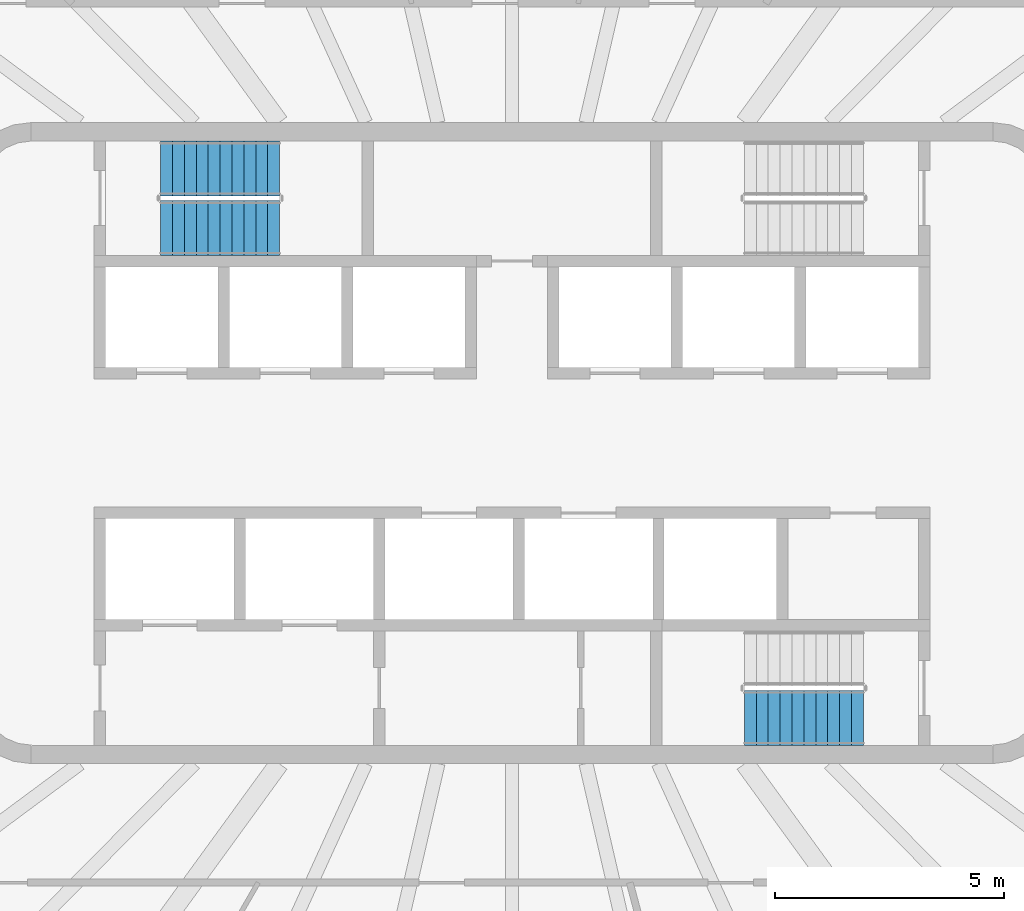
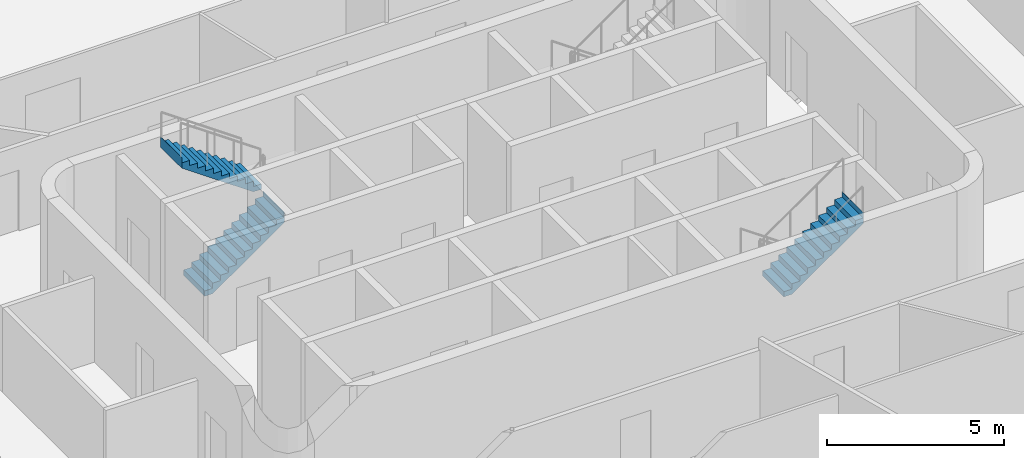
# One storey, part 13 of 20: 3 stair flights, 2 elements without a shape of their own.
"""IFC4 building model written with IfcOpenShell, lengths in metres."""

from ifc_helpers import new_model, si_unit, direction, frame, origin, place, context, subcontext, project, spatial, triangles, material, type_object, element, aggregate, save


model = new_model("IFC4")

# Units and contexts
model_context = context("Model", 3, precision=1e-05, world=origin(), true_north=direction((0.0, 1.0)))
body_context = subcontext(model_context, "Body", "Model", "MODEL_VIEW")
ifc_project = project(units=[si_unit("LENGTHUNIT", "METRE"), si_unit("AREAUNIT", "SQUARE_METRE"), si_unit("VOLUMEUNIT", "CUBIC_METRE"), si_unit("PLANEANGLEUNIT", "RADIAN"), si_unit("MASSUNIT", "GRAM", prefix="KILO")], contexts=[model_context])

# Site, building, storey
site_placement = place(None, origin())
site = spatial("IfcSite", under=ifc_project, at=site_placement, CompositionType="ELEMENT")
building_placement = place(site_placement, origin())
building = spatial("IfcBuilding", under=site, at=building_placement, Name="Sahrelin Media Tower", CompositionType="ELEMENT")
storey_placement = place(building_placement, frame((0.0, 0.0, 213.60009765625)))
storey = spatial("IfcBuildingStorey", under=building, at=storey_placement, Name="L45", CompositionType="ELEMENT", Elevation=213.60009765625)

# Stair, stair flights
ifc_material = material(Name="Concrete C40/50", Category="concrete")
stair_type = type_object("IfcStairType", Name="Exit stair 1200", PredefinedType="HALF_TURN_STAIR", material=ifc_material)
placement = place(storey_placement, origin())
stair_1 = element("IfcStair", 1, at=placement, inside=storey, type_object=stair_type, Name="L45 Exit stair ST1", PredefinedType="HALF_TURN_STAIR")
stair_flight_type = type_object("IfcStairFlightType", Name="Stair flight 1200", PredefinedType="STRAIGHT", material=ifc_material)
stair_flight_1_placement = place(storey_placement, frame((-7.675048828125, 4.699951171875, 0.0), z_axis=(0.0, 0.0, 1.0), x_axis=(1.0, 0.0, 0.0)))
stair_flight_1 = element("IfcStairFlight", 2, at=stair_flight_1_placement, type_object=stair_flight_type, Name="ST1 flight 1", NumberOfRisers=11, NumberOfTreads=10, PredefinedType="STRAIGHT", RiserHeight=0.181818182, TreadLength=0.26, context=body_context, shape_type="Tessellation", body=[
    triangles([(0.261474609375, 0.60009765625, 0.0), (0.261474609375, 0.300048828125, 0.0), (0.261474609375, 0.0, 0.0), (0.261474609375, -0.300048828125, 0.0), (0.261474609375, -0.60009765625, 0.0), (2.60009765625, 0.60009765625, 1.63525390625), (2.60009765625, 0.300048828125, 1.63525390625), (2.60009765625, 0.0, 1.63525390625), (2.60009765625, -0.300048828125, 1.63525390625), (2.60009765625, -0.60009765625, 1.63525390625), (2.60009765625, 0.60009765625, 2.0), (2.60009765625, 0.300048828125, 2.0), (2.60009765625, 0.0, 2.0), (2.60009765625, -0.300048828125, 2.0), (2.60009765625, -0.60009765625, 2.0), (2.597900390625, 0.60009765625, 2.0), (2.597900390625, 0.300048828125, 2.0), (2.597900390625, 0.0, 2.0), (2.597900390625, -0.300048828125, 2.0), (2.597900390625, -0.60009765625, 2.0), (2.597900390625, 0.60009765625, 1.818115234375), (2.597900390625, 0.300048828125, 1.818115234375), (2.597900390625, 0.0, 1.818115234375), (2.597900390625, -0.300048828125, 1.818115234375), (2.597900390625, -0.60009765625, 1.818115234375), (2.340087890625, 0.60009765625, 1.818115234375), (2.340087890625, 0.300048828125, 1.818115234375), (2.340087890625, 0.0, 1.818115234375), (2.340087890625, -0.300048828125, 1.818115234375), (2.340087890625, -0.60009765625, 1.818115234375), (2.340087890625, 0.60009765625, 1.636474609375), (2.340087890625, 0.300048828125, 1.636474609375), (2.340087890625, 0.0, 1.636474609375), (2.340087890625, -0.300048828125, 1.636474609375), (2.340087890625, -0.60009765625, 1.636474609375), (2.080078125, 0.60009765625, 1.636474609375), (2.080078125, 0.300048828125, 1.636474609375), (2.080078125, 0.0, 1.636474609375), (2.080078125, -0.300048828125, 1.636474609375), (2.080078125, -0.60009765625, 1.636474609375), (2.080078125, 0.60009765625, 1.45458984375), (2.080078125, 0.300048828125, 1.45458984375), (2.080078125, 0.0, 1.45458984375), (2.080078125, -0.300048828125, 1.45458984375), (2.080078125, -0.60009765625, 1.45458984375), (1.820068359375, 0.60009765625, 1.45458984375), (1.820068359375, 0.300048828125, 1.45458984375), (1.820068359375, 0.0, 1.45458984375), (1.820068359375, -0.300048828125, 1.45458984375), (1.820068359375, -0.60009765625, 1.45458984375), (1.820068359375, 0.60009765625, 1.272705078125), (1.820068359375, 0.300048828125, 1.272705078125), (1.820068359375, 0.0, 1.272705078125), (1.820068359375, -0.300048828125, 1.272705078125), (1.820068359375, -0.60009765625, 1.272705078125), (1.56005859375, 0.60009765625, 1.272705078125), (1.56005859375, 0.300048828125, 1.272705078125), (1.56005859375, 0.0, 1.272705078125), (1.56005859375, -0.300048828125, 1.272705078125), (1.56005859375, -0.60009765625, 1.272705078125), (1.56005859375, 0.60009765625, 1.0908203125), (1.56005859375, 0.300048828125, 1.0908203125), (1.56005859375, 0.0, 1.0908203125), (1.56005859375, -0.300048828125, 1.0908203125), (1.56005859375, -0.60009765625, 1.0908203125), (1.300048828125, 0.60009765625, 1.0908203125), (1.300048828125, 0.300048828125, 1.0908203125), (1.300048828125, 0.0, 1.0908203125), (1.300048828125, -0.300048828125, 1.0908203125), (1.300048828125, -0.60009765625, 1.0908203125), (1.300048828125, 0.60009765625, 0.9091796875), (1.300048828125, 0.300048828125, 0.9091796875), (1.300048828125, 0.0, 0.9091796875), (1.300048828125, -0.300048828125, 0.9091796875), (1.300048828125, -0.60009765625, 0.9091796875), (1.0400390625, 0.60009765625, 0.9091796875), (1.0400390625, 0.300048828125, 0.9091796875), (1.0400390625, 0.0, 0.9091796875), (1.0400390625, -0.300048828125, 0.9091796875), (1.0400390625, -0.60009765625, 0.9091796875), (1.0400390625, 0.60009765625, 0.727294921875), (1.0400390625, 0.300048828125, 0.727294921875), (1.0400390625, 0.0, 0.727294921875), (1.0400390625, -0.300048828125, 0.727294921875), (1.0400390625, -0.60009765625, 0.727294921875), (0.780029296875, 0.60009765625, 0.727294921875), (0.780029296875, 0.300048828125, 0.727294921875), (0.780029296875, 0.0, 0.727294921875), (0.780029296875, -0.300048828125, 0.727294921875), (0.780029296875, -0.60009765625, 0.727294921875), (0.780029296875, 0.60009765625, 0.54541015625), (0.780029296875, 0.300048828125, 0.54541015625), (0.780029296875, 0.0, 0.54541015625), (0.780029296875, -0.300048828125, 0.54541015625), (0.780029296875, -0.60009765625, 0.54541015625), (0.52001953125, 0.60009765625, 0.54541015625), (0.52001953125, 0.300048828125, 0.54541015625), (0.52001953125, 0.0, 0.54541015625), (0.52001953125, -0.300048828125, 0.54541015625), (0.52001953125, -0.60009765625, 0.54541015625), (0.52001953125, 0.60009765625, 0.363525390625), (0.52001953125, 0.300048828125, 0.363525390625), (0.52001953125, 0.0, 0.363525390625), (0.52001953125, -0.300048828125, 0.363525390625), (0.52001953125, -0.60009765625, 0.363525390625), (0.260009765625, 0.60009765625, 0.363525390625), (0.260009765625, 0.300048828125, 0.363525390625), (0.260009765625, 0.0, 0.363525390625), (0.260009765625, -0.300048828125, 0.363525390625), (0.260009765625, -0.60009765625, 0.363525390625), (0.260009765625, 0.60009765625, 0.181884765625), (0.260009765625, 0.300048828125, 0.181884765625), (0.260009765625, 0.0, 0.181884765625), (0.260009765625, -0.300048828125, 0.181884765625), (0.260009765625, -0.60009765625, 0.181884765625), (0.0, 0.60009765625, 0.181884765625), (0.0, 0.300048828125, 0.181884765625), (0.0, 0.0, 0.181884765625), (0.0, -0.300048828125, 0.181884765625), (0.0, -0.60009765625, 0.181884765625), (0.0, 0.60009765625, 0.0), (0.0, 0.300048828125, 0.0), (0.0, 0.0, 0.0), (0.0, -0.300048828125, 0.0), (0.0, -0.60009765625, 0.0)], [[1, 6, 7], [1, 7, 2], [2, 7, 8], [2, 8, 3], [3, 8, 9], [3, 9, 4], [4, 9, 10], [4, 10, 5], [6, 11, 12], [6, 12, 7], [7, 12, 13], [7, 13, 8], [8, 13, 14], [8, 14, 9], [9, 14, 15], [9, 15, 10], [11, 16, 17], [11, 17, 12], [12, 17, 18], [12, 18, 13], [13, 18, 19], [13, 19, 14], [14, 19, 20], [14, 20, 15], [16, 21, 22], [16, 22, 17], [17, 22, 23], [17, 23, 18], [18, 23, 24], [18, 24, 19], [19, 24, 25], [19, 25, 20], [21, 26, 27], [21, 27, 22], [22, 27, 28], [22, 28, 23], [23, 28, 29], [23, 29, 24], [24, 29, 30], [24, 30, 25], [26, 31, 32], [26, 32, 27], [27, 32, 33], [27, 33, 28], [28, 33, 34], [28, 34, 29], [29, 34, 35], [29, 35, 30], [31, 36, 37], [31, 37, 32], [32, 37, 38], [32, 38, 33], [33, 38, 39], [33, 39, 34], [34, 39, 40], [34, 40, 35], [36, 41, 42], [36, 42, 37], [37, 42, 43], [37, 43, 38], [38, 43, 44], [38, 44, 39], [39, 44, 45], [39, 45, 40], [41, 46, 47], [41, 47, 42], [42, 47, 48], [42, 48, 43], [43, 48, 49], [43, 49, 44], [44, 49, 50], [44, 50, 45], [46, 51, 52], [46, 52, 47], [47, 52, 53], [47, 53, 48], [48, 53, 54], [48, 54, 49], [49, 54, 55], [49, 55, 50], [51, 56, 57], [51, 57, 52], [52, 57, 58], [52, 58, 53], [53, 58, 59], [53, 59, 54], [54, 59, 60], [54, 60, 55], [56, 61, 62], [56, 62, 57], [57, 62, 63], [57, 63, 58], [58, 63, 64], [58, 64, 59], [59, 64, 65], [59, 65, 60], [61, 66, 67], [61, 67, 62], [62, 67, 68], [62, 68, 63], [63, 68, 69], [63, 69, 64], [64, 69, 70], [64, 70, 65], [66, 71, 72], [66, 72, 67], [67, 72, 73], [67, 73, 68], [68, 73, 74], [68, 74, 69], [69, 74, 75], [69, 75, 70], [71, 76, 77], [71, 77, 72], [72, 77, 78], [72, 78, 73], [73, 78, 79], [73, 79, 74], [74, 79, 80], [74, 80, 75], [76, 81, 82], [76, 82, 77], [77, 82, 83], [77, 83, 78], [78, 83, 84], [78, 84, 79], [79, 84, 85], [79, 85, 80], [81, 86, 87], [81, 87, 82], [82, 87, 88], [82, 88, 83], [83, 88, 89], [83, 89, 84], [84, 89, 90], [84, 90, 85], [86, 91, 92], [86, 92, 87], [87, 92, 93], [87, 93, 88], [88, 93, 94], [88, 94, 89], [89, 94, 95], [89, 95, 90], [91, 96, 97], [91, 97, 92], [92, 97, 98], [92, 98, 93], [93, 98, 99], [93, 99, 94], [94, 99, 100], [94, 100, 95], [96, 101, 102], [96, 102, 97], [97, 102, 103], [97, 103, 98], [98, 103, 104], [98, 104, 99], [99, 104, 105], [99, 105, 100], [101, 106, 107], [101, 107, 102], [102, 107, 108], [102, 108, 103], [103, 108, 109], [103, 109, 104], [104, 109, 110], [104, 110, 105], [106, 111, 112], [106, 112, 107], [107, 112, 113], [107, 113, 108], [108, 113, 114], [108, 114, 109], [109, 114, 115], [109, 115, 110], [111, 116, 117], [111, 117, 112], [112, 117, 118], [112, 118, 113], [113, 118, 119], [113, 119, 114], [114, 119, 120], [114, 120, 115], [116, 121, 122], [116, 122, 117], [117, 122, 123], [117, 123, 118], [118, 123, 124], [118, 124, 119], [119, 124, 125], [119, 125, 120], [121, 1, 2], [121, 2, 122], [122, 2, 3], [122, 3, 123], [123, 3, 4], [123, 4, 124], [124, 4, 5], [124, 5, 125], [115, 120, 125], [111, 121, 116], [115, 105, 110], [111, 106, 101], [105, 95, 100], [101, 96, 91], [95, 85, 90], [91, 86, 81], [85, 75, 80], [81, 76, 71], [75, 65, 70], [71, 66, 61], [65, 55, 60], [61, 56, 51], [55, 45, 50], [51, 46, 41], [45, 35, 40], [41, 36, 31], [35, 25, 30], [31, 26, 21], [25, 15, 20], [21, 16, 11], [125, 5, 115], [121, 111, 1], [25, 10, 15], [21, 11, 6], [105, 115, 5], [101, 1, 111], [35, 10, 25], [31, 21, 6], [95, 105, 5], [91, 1, 101], [45, 10, 35], [41, 31, 6], [85, 95, 5], [81, 1, 91], [55, 10, 45], [51, 41, 6], [75, 85, 5], [71, 1, 81], [65, 10, 55], [61, 51, 6], [5, 10, 75], [1, 71, 6], [75, 10, 65], [71, 61, 6]], closed=True),
])
stair_flight_2_placement = place(storey_placement, frame((-5.074951171875, 6.0, 2.0), z_axis=(0.0, 0.0, 1.0), x_axis=(-1.0, 0.0, 0.0)))
stair_flight_2 = element("IfcStairFlight", 3, at=stair_flight_2_placement, type_object=stair_flight_type, Name="ST1 flight 2", NumberOfRisers=11, NumberOfTreads=10, PredefinedType="STRAIGHT", RiserHeight=0.181818182, TreadLength=0.26, context=body_context, shape_type="Tessellation", body=[
    triangles([(0.261474609375, 0.60009765625, 0.0), (0.261474609375, 0.300048828125, 0.0), (0.261474609375, 0.0, 0.0), (0.261474609375, -0.300048828125, 0.0), (0.261474609375, -0.60009765625, 0.0), (2.60009765625, 0.60009765625, 1.63525390625), (2.60009765625, 0.300048828125, 1.63525390625), (2.60009765625, 0.0, 1.63525390625), (2.60009765625, -0.300048828125, 1.63525390625), (2.60009765625, -0.60009765625, 1.63525390625), (2.60009765625, 0.60009765625, 2.0), (2.60009765625, 0.300048828125, 2.0), (2.60009765625, 0.0, 2.0), (2.60009765625, -0.300048828125, 2.0), (2.60009765625, -0.60009765625, 2.0), (2.597900390625, 0.60009765625, 2.0), (2.597900390625, 0.300048828125, 2.0), (2.597900390625, 0.0, 2.0), (2.597900390625, -0.300048828125, 2.0), (2.597900390625, -0.60009765625, 2.0), (2.597900390625, 0.60009765625, 1.818115234375), (2.597900390625, 0.300048828125, 1.818115234375), (2.597900390625, 0.0, 1.818115234375), (2.597900390625, -0.300048828125, 1.818115234375), (2.597900390625, -0.60009765625, 1.818115234375), (2.340087890625, 0.60009765625, 1.818115234375), (2.340087890625, 0.300048828125, 1.818115234375), (2.340087890625, 0.0, 1.818115234375), (2.340087890625, -0.300048828125, 1.818115234375), (2.340087890625, -0.60009765625, 1.818115234375), (2.340087890625, 0.60009765625, 1.636474609375), (2.340087890625, 0.300048828125, 1.636474609375), (2.340087890625, 0.0, 1.636474609375), (2.340087890625, -0.300048828125, 1.636474609375), (2.340087890625, -0.60009765625, 1.636474609375), (2.080078125, 0.60009765625, 1.636474609375), (2.080078125, 0.300048828125, 1.636474609375), (2.080078125, 0.0, 1.636474609375), (2.080078125, -0.300048828125, 1.636474609375), (2.080078125, -0.60009765625, 1.636474609375), (2.080078125, 0.60009765625, 1.45458984375), (2.080078125, 0.300048828125, 1.45458984375), (2.080078125, 0.0, 1.45458984375), (2.080078125, -0.300048828125, 1.45458984375), (2.080078125, -0.60009765625, 1.45458984375), (1.820068359375, 0.60009765625, 1.45458984375), (1.820068359375, 0.300048828125, 1.45458984375), (1.820068359375, 0.0, 1.45458984375), (1.820068359375, -0.300048828125, 1.45458984375), (1.820068359375, -0.60009765625, 1.45458984375), (1.820068359375, 0.60009765625, 1.272705078125), (1.820068359375, 0.300048828125, 1.272705078125), (1.820068359375, 0.0, 1.272705078125), (1.820068359375, -0.300048828125, 1.272705078125), (1.820068359375, -0.60009765625, 1.272705078125), (1.56005859375, 0.60009765625, 1.272705078125), (1.56005859375, 0.300048828125, 1.272705078125), (1.56005859375, 0.0, 1.272705078125), (1.56005859375, -0.300048828125, 1.272705078125), (1.56005859375, -0.60009765625, 1.272705078125), (1.56005859375, 0.60009765625, 1.0908203125), (1.56005859375, 0.300048828125, 1.0908203125), (1.56005859375, 0.0, 1.0908203125), (1.56005859375, -0.300048828125, 1.0908203125), (1.56005859375, -0.60009765625, 1.0908203125), (1.300048828125, 0.60009765625, 1.0908203125), (1.300048828125, 0.300048828125, 1.0908203125), (1.300048828125, 0.0, 1.0908203125), (1.300048828125, -0.300048828125, 1.0908203125), (1.300048828125, -0.60009765625, 1.0908203125), (1.300048828125, 0.60009765625, 0.9091796875), (1.300048828125, 0.300048828125, 0.9091796875), (1.300048828125, 0.0, 0.9091796875), (1.300048828125, -0.300048828125, 0.9091796875), (1.300048828125, -0.60009765625, 0.9091796875), (1.0400390625, 0.60009765625, 0.9091796875), (1.0400390625, 0.300048828125, 0.9091796875), (1.0400390625, 0.0, 0.9091796875), (1.0400390625, -0.300048828125, 0.9091796875), (1.0400390625, -0.60009765625, 0.9091796875), (1.0400390625, 0.60009765625, 0.727294921875), (1.0400390625, 0.300048828125, 0.727294921875), (1.0400390625, 0.0, 0.727294921875), (1.0400390625, -0.300048828125, 0.727294921875), (1.0400390625, -0.60009765625, 0.727294921875), (0.780029296875, 0.60009765625, 0.727294921875), (0.780029296875, 0.300048828125, 0.727294921875), (0.780029296875, 0.0, 0.727294921875), (0.780029296875, -0.300048828125, 0.727294921875), (0.780029296875, -0.60009765625, 0.727294921875), (0.780029296875, 0.60009765625, 0.54541015625), (0.780029296875, 0.300048828125, 0.54541015625), (0.780029296875, 0.0, 0.54541015625), (0.780029296875, -0.300048828125, 0.54541015625), (0.780029296875, -0.60009765625, 0.54541015625), (0.52001953125, 0.60009765625, 0.54541015625), (0.52001953125, 0.300048828125, 0.54541015625), (0.52001953125, 0.0, 0.54541015625), (0.52001953125, -0.300048828125, 0.54541015625), (0.52001953125, -0.60009765625, 0.54541015625), (0.52001953125, 0.60009765625, 0.363525390625), (0.52001953125, 0.300048828125, 0.363525390625), (0.52001953125, 0.0, 0.363525390625), (0.52001953125, -0.300048828125, 0.363525390625), (0.52001953125, -0.60009765625, 0.363525390625), (0.260009765625, 0.60009765625, 0.363525390625), (0.260009765625, 0.300048828125, 0.363525390625), (0.260009765625, 0.0, 0.363525390625), (0.260009765625, -0.300048828125, 0.363525390625), (0.260009765625, -0.60009765625, 0.363525390625), (0.260009765625, 0.60009765625, 0.181884765625), (0.260009765625, 0.300048828125, 0.181884765625), (0.260009765625, 0.0, 0.181884765625), (0.260009765625, -0.300048828125, 0.181884765625), (0.260009765625, -0.60009765625, 0.181884765625), (0.0, 0.60009765625, 0.181884765625), (0.0, 0.300048828125, 0.181884765625), (0.0, 0.0, 0.181884765625), (0.0, -0.300048828125, 0.181884765625), (0.0, -0.60009765625, 0.181884765625), (0.0, 0.60009765625, 0.0), (0.0, 0.300048828125, 0.0), (0.0, 0.0, 0.0), (0.0, -0.300048828125, 0.0), (0.0, -0.60009765625, 0.0)], [[1, 6, 7], [1, 7, 2], [2, 7, 8], [2, 8, 3], [3, 8, 9], [3, 9, 4], [4, 9, 10], [4, 10, 5], [6, 11, 12], [6, 12, 7], [7, 12, 13], [7, 13, 8], [8, 13, 14], [8, 14, 9], [9, 14, 15], [9, 15, 10], [11, 16, 17], [11, 17, 12], [12, 17, 18], [12, 18, 13], [13, 18, 19], [13, 19, 14], [14, 19, 20], [14, 20, 15], [16, 21, 22], [16, 22, 17], [17, 22, 23], [17, 23, 18], [18, 23, 24], [18, 24, 19], [19, 24, 25], [19, 25, 20], [21, 26, 27], [21, 27, 22], [22, 27, 28], [22, 28, 23], [23, 28, 29], [23, 29, 24], [24, 29, 30], [24, 30, 25], [26, 31, 32], [26, 32, 27], [27, 32, 33], [27, 33, 28], [28, 33, 34], [28, 34, 29], [29, 34, 35], [29, 35, 30], [31, 36, 37], [31, 37, 32], [32, 37, 38], [32, 38, 33], [33, 38, 39], [33, 39, 34], [34, 39, 40], [34, 40, 35], [36, 41, 42], [36, 42, 37], [37, 42, 43], [37, 43, 38], [38, 43, 44], [38, 44, 39], [39, 44, 45], [39, 45, 40], [41, 46, 47], [41, 47, 42], [42, 47, 48], [42, 48, 43], [43, 48, 49], [43, 49, 44], [44, 49, 50], [44, 50, 45], [46, 51, 52], [46, 52, 47], [47, 52, 53], [47, 53, 48], [48, 53, 54], [48, 54, 49], [49, 54, 55], [49, 55, 50], [51, 56, 57], [51, 57, 52], [52, 57, 58], [52, 58, 53], [53, 58, 59], [53, 59, 54], [54, 59, 60], [54, 60, 55], [56, 61, 62], [56, 62, 57], [57, 62, 63], [57, 63, 58], [58, 63, 64], [58, 64, 59], [59, 64, 65], [59, 65, 60], [61, 66, 67], [61, 67, 62], [62, 67, 68], [62, 68, 63], [63, 68, 69], [63, 69, 64], [64, 69, 70], [64, 70, 65], [66, 71, 72], [66, 72, 67], [67, 72, 73], [67, 73, 68], [68, 73, 74], [68, 74, 69], [69, 74, 75], [69, 75, 70], [71, 76, 77], [71, 77, 72], [72, 77, 78], [72, 78, 73], [73, 78, 79], [73, 79, 74], [74, 79, 80], [74, 80, 75], [76, 81, 82], [76, 82, 77], [77, 82, 83], [77, 83, 78], [78, 83, 84], [78, 84, 79], [79, 84, 85], [79, 85, 80], [81, 86, 87], [81, 87, 82], [82, 87, 88], [82, 88, 83], [83, 88, 89], [83, 89, 84], [84, 89, 90], [84, 90, 85], [86, 91, 92], [86, 92, 87], [87, 92, 93], [87, 93, 88], [88, 93, 94], [88, 94, 89], [89, 94, 95], [89, 95, 90], [91, 96, 97], [91, 97, 92], [92, 97, 98], [92, 98, 93], [93, 98, 99], [93, 99, 94], [94, 99, 100], [94, 100, 95], [96, 101, 102], [96, 102, 97], [97, 102, 103], [97, 103, 98], [98, 103, 104], [98, 104, 99], [99, 104, 105], [99, 105, 100], [101, 106, 107], [101, 107, 102], [102, 107, 108], [102, 108, 103], [103, 108, 109], [103, 109, 104], [104, 109, 110], [104, 110, 105], [106, 111, 112], [106, 112, 107], [107, 112, 113], [107, 113, 108], [108, 113, 114], [108, 114, 109], [109, 114, 115], [109, 115, 110], [111, 116, 117], [111, 117, 112], [112, 117, 118], [112, 118, 113], [113, 118, 119], [113, 119, 114], [114, 119, 120], [114, 120, 115], [116, 121, 122], [116, 122, 117], [117, 122, 123], [117, 123, 118], [118, 123, 124], [118, 124, 119], [119, 124, 125], [119, 125, 120], [121, 1, 2], [121, 2, 122], [122, 2, 3], [122, 3, 123], [123, 3, 4], [123, 4, 124], [124, 4, 5], [124, 5, 125], [115, 120, 125], [111, 121, 116], [115, 105, 110], [111, 106, 101], [105, 95, 100], [101, 96, 91], [95, 85, 90], [91, 86, 81], [85, 75, 80], [81, 76, 71], [75, 65, 70], [71, 66, 61], [65, 55, 60], [61, 56, 51], [55, 45, 50], [51, 46, 41], [45, 35, 40], [41, 36, 31], [35, 25, 30], [31, 26, 21], [25, 15, 20], [21, 16, 11], [125, 5, 115], [121, 111, 1], [25, 10, 15], [21, 11, 6], [105, 115, 5], [101, 1, 111], [35, 10, 25], [31, 21, 6], [95, 105, 5], [91, 1, 101], [45, 10, 35], [41, 31, 6], [85, 95, 5], [81, 1, 91], [55, 10, 45], [51, 41, 6], [75, 85, 5], [71, 1, 81], [65, 10, 55], [61, 51, 6], [5, 10, 75], [1, 71, 6], [75, 10, 65], [71, 61, 6]], closed=True),
])
aggregate(stair_1, [stair_flight_1, stair_flight_2])

# Stair, stair flight
stair_2 = element("IfcStair", 4, at=placement, inside=storey, type_object=stair_type, Name="L45 Exit stair ST2", PredefinedType="HALF_TURN_STAIR")
stair_flight_3_placement = place(storey_placement, frame((5.074951171875, -6.0, 2.0), z_axis=(0.0, 0.0, 1.0), x_axis=(1.0, 0.0, 0.0)))
stair_flight_3 = element("IfcStairFlight", 5, at=stair_flight_3_placement, type_object=stair_flight_type, Name="ST2 flight 2", NumberOfRisers=11, NumberOfTreads=10, PredefinedType="STRAIGHT", RiserHeight=0.181818182, TreadLength=0.26, context=body_context, shape_type="Tessellation", body=[
    triangles([(0.261474609375, 0.60009765625, 0.0), (0.261474609375, 0.300048828125, 0.0), (0.261474609375, 0.0, 0.0), (0.261474609375, -0.300048828125, 0.0), (0.261474609375, -0.60009765625, 0.0), (2.60009765625, 0.60009765625, 1.63525390625), (2.60009765625, 0.300048828125, 1.63525390625), (2.60009765625, 0.0, 1.63525390625), (2.60009765625, -0.300048828125, 1.63525390625), (2.60009765625, -0.60009765625, 1.63525390625), (2.60009765625, 0.60009765625, 2.0), (2.60009765625, 0.300048828125, 2.0), (2.60009765625, 0.0, 2.0), (2.60009765625, -0.300048828125, 2.0), (2.60009765625, -0.60009765625, 2.0), (2.597900390625, 0.60009765625, 2.0), (2.597900390625, 0.300048828125, 2.0), (2.597900390625, 0.0, 2.0), (2.597900390625, -0.300048828125, 2.0), (2.597900390625, -0.60009765625, 2.0), (2.597900390625, 0.60009765625, 1.818115234375), (2.597900390625, 0.300048828125, 1.818115234375), (2.597900390625, 0.0, 1.818115234375), (2.597900390625, -0.300048828125, 1.818115234375), (2.597900390625, -0.60009765625, 1.818115234375), (2.340087890625, 0.60009765625, 1.818115234375), (2.340087890625, 0.300048828125, 1.818115234375), (2.340087890625, 0.0, 1.818115234375), (2.340087890625, -0.300048828125, 1.818115234375), (2.340087890625, -0.60009765625, 1.818115234375), (2.340087890625, 0.60009765625, 1.636474609375), (2.340087890625, 0.300048828125, 1.636474609375), (2.340087890625, 0.0, 1.636474609375), (2.340087890625, -0.300048828125, 1.636474609375), (2.340087890625, -0.60009765625, 1.636474609375), (2.080078125, 0.60009765625, 1.636474609375), (2.080078125, 0.300048828125, 1.636474609375), (2.080078125, 0.0, 1.636474609375), (2.080078125, -0.300048828125, 1.636474609375), (2.080078125, -0.60009765625, 1.636474609375), (2.080078125, 0.60009765625, 1.45458984375), (2.080078125, 0.300048828125, 1.45458984375), (2.080078125, 0.0, 1.45458984375), (2.080078125, -0.300048828125, 1.45458984375), (2.080078125, -0.60009765625, 1.45458984375), (1.820068359375, 0.60009765625, 1.45458984375), (1.820068359375, 0.300048828125, 1.45458984375), (1.820068359375, 0.0, 1.45458984375), (1.820068359375, -0.300048828125, 1.45458984375), (1.820068359375, -0.60009765625, 1.45458984375), (1.820068359375, 0.60009765625, 1.272705078125), (1.820068359375, 0.300048828125, 1.272705078125), (1.820068359375, 0.0, 1.272705078125), (1.820068359375, -0.300048828125, 1.272705078125), (1.820068359375, -0.60009765625, 1.272705078125), (1.56005859375, 0.60009765625, 1.272705078125), (1.56005859375, 0.300048828125, 1.272705078125), (1.56005859375, 0.0, 1.272705078125), (1.56005859375, -0.300048828125, 1.272705078125), (1.56005859375, -0.60009765625, 1.272705078125), (1.56005859375, 0.60009765625, 1.0908203125), (1.56005859375, 0.300048828125, 1.0908203125), (1.56005859375, 0.0, 1.0908203125), (1.56005859375, -0.300048828125, 1.0908203125), (1.56005859375, -0.60009765625, 1.0908203125), (1.300048828125, 0.60009765625, 1.0908203125), (1.300048828125, 0.300048828125, 1.0908203125), (1.300048828125, 0.0, 1.0908203125), (1.300048828125, -0.300048828125, 1.0908203125), (1.300048828125, -0.60009765625, 1.0908203125), (1.300048828125, 0.60009765625, 0.9091796875), (1.300048828125, 0.300048828125, 0.9091796875), (1.300048828125, 0.0, 0.9091796875), (1.300048828125, -0.300048828125, 0.9091796875), (1.300048828125, -0.60009765625, 0.9091796875), (1.0400390625, 0.60009765625, 0.9091796875), (1.0400390625, 0.300048828125, 0.9091796875), (1.0400390625, 0.0, 0.9091796875), (1.0400390625, -0.300048828125, 0.9091796875), (1.0400390625, -0.60009765625, 0.9091796875), (1.0400390625, 0.60009765625, 0.727294921875), (1.0400390625, 0.300048828125, 0.727294921875), (1.0400390625, 0.0, 0.727294921875), (1.0400390625, -0.300048828125, 0.727294921875), (1.0400390625, -0.60009765625, 0.727294921875), (0.780029296875, 0.60009765625, 0.727294921875), (0.780029296875, 0.300048828125, 0.727294921875), (0.780029296875, 0.0, 0.727294921875), (0.780029296875, -0.300048828125, 0.727294921875), (0.780029296875, -0.60009765625, 0.727294921875), (0.780029296875, 0.60009765625, 0.54541015625), (0.780029296875, 0.300048828125, 0.54541015625), (0.780029296875, 0.0, 0.54541015625), (0.780029296875, -0.300048828125, 0.54541015625), (0.780029296875, -0.60009765625, 0.54541015625), (0.52001953125, 0.60009765625, 0.54541015625), (0.52001953125, 0.300048828125, 0.54541015625), (0.52001953125, 0.0, 0.54541015625), (0.52001953125, -0.300048828125, 0.54541015625), (0.52001953125, -0.60009765625, 0.54541015625), (0.52001953125, 0.60009765625, 0.363525390625), (0.52001953125, 0.300048828125, 0.363525390625), (0.52001953125, 0.0, 0.363525390625), (0.52001953125, -0.300048828125, 0.363525390625), (0.52001953125, -0.60009765625, 0.363525390625), (0.260009765625, 0.60009765625, 0.363525390625), (0.260009765625, 0.300048828125, 0.363525390625), (0.260009765625, 0.0, 0.363525390625), (0.260009765625, -0.300048828125, 0.363525390625), (0.260009765625, -0.60009765625, 0.363525390625), (0.260009765625, 0.60009765625, 0.181884765625), (0.260009765625, 0.300048828125, 0.181884765625), (0.260009765625, 0.0, 0.181884765625), (0.260009765625, -0.300048828125, 0.181884765625), (0.260009765625, -0.60009765625, 0.181884765625), (0.0, 0.60009765625, 0.181884765625), (0.0, 0.300048828125, 0.181884765625), (0.0, 0.0, 0.181884765625), (0.0, -0.300048828125, 0.181884765625), (0.0, -0.60009765625, 0.181884765625), (0.0, 0.60009765625, 0.0), (0.0, 0.300048828125, 0.0), (0.0, 0.0, 0.0), (0.0, -0.300048828125, 0.0), (0.0, -0.60009765625, 0.0)], [[1, 6, 7], [1, 7, 2], [2, 7, 8], [2, 8, 3], [3, 8, 9], [3, 9, 4], [4, 9, 10], [4, 10, 5], [6, 11, 12], [6, 12, 7], [7, 12, 13], [7, 13, 8], [8, 13, 14], [8, 14, 9], [9, 14, 15], [9, 15, 10], [11, 16, 17], [11, 17, 12], [12, 17, 18], [12, 18, 13], [13, 18, 19], [13, 19, 14], [14, 19, 20], [14, 20, 15], [16, 21, 22], [16, 22, 17], [17, 22, 23], [17, 23, 18], [18, 23, 24], [18, 24, 19], [19, 24, 25], [19, 25, 20], [21, 26, 27], [21, 27, 22], [22, 27, 28], [22, 28, 23], [23, 28, 29], [23, 29, 24], [24, 29, 30], [24, 30, 25], [26, 31, 32], [26, 32, 27], [27, 32, 33], [27, 33, 28], [28, 33, 34], [28, 34, 29], [29, 34, 35], [29, 35, 30], [31, 36, 37], [31, 37, 32], [32, 37, 38], [32, 38, 33], [33, 38, 39], [33, 39, 34], [34, 39, 40], [34, 40, 35], [36, 41, 42], [36, 42, 37], [37, 42, 43], [37, 43, 38], [38, 43, 44], [38, 44, 39], [39, 44, 45], [39, 45, 40], [41, 46, 47], [41, 47, 42], [42, 47, 48], [42, 48, 43], [43, 48, 49], [43, 49, 44], [44, 49, 50], [44, 50, 45], [46, 51, 52], [46, 52, 47], [47, 52, 53], [47, 53, 48], [48, 53, 54], [48, 54, 49], [49, 54, 55], [49, 55, 50], [51, 56, 57], [51, 57, 52], [52, 57, 58], [52, 58, 53], [53, 58, 59], [53, 59, 54], [54, 59, 60], [54, 60, 55], [56, 61, 62], [56, 62, 57], [57, 62, 63], [57, 63, 58], [58, 63, 64], [58, 64, 59], [59, 64, 65], [59, 65, 60], [61, 66, 67], [61, 67, 62], [62, 67, 68], [62, 68, 63], [63, 68, 69], [63, 69, 64], [64, 69, 70], [64, 70, 65], [66, 71, 72], [66, 72, 67], [67, 72, 73], [67, 73, 68], [68, 73, 74], [68, 74, 69], [69, 74, 75], [69, 75, 70], [71, 76, 77], [71, 77, 72], [72, 77, 78], [72, 78, 73], [73, 78, 79], [73, 79, 74], [74, 79, 80], [74, 80, 75], [76, 81, 82], [76, 82, 77], [77, 82, 83], [77, 83, 78], [78, 83, 84], [78, 84, 79], [79, 84, 85], [79, 85, 80], [81, 86, 87], [81, 87, 82], [82, 87, 88], [82, 88, 83], [83, 88, 89], [83, 89, 84], [84, 89, 90], [84, 90, 85], [86, 91, 92], [86, 92, 87], [87, 92, 93], [87, 93, 88], [88, 93, 94], [88, 94, 89], [89, 94, 95], [89, 95, 90], [91, 96, 97], [91, 97, 92], [92, 97, 98], [92, 98, 93], [93, 98, 99], [93, 99, 94], [94, 99, 100], [94, 100, 95], [96, 101, 102], [96, 102, 97], [97, 102, 103], [97, 103, 98], [98, 103, 104], [98, 104, 99], [99, 104, 105], [99, 105, 100], [101, 106, 107], [101, 107, 102], [102, 107, 108], [102, 108, 103], [103, 108, 109], [103, 109, 104], [104, 109, 110], [104, 110, 105], [106, 111, 112], [106, 112, 107], [107, 112, 113], [107, 113, 108], [108, 113, 114], [108, 114, 109], [109, 114, 115], [109, 115, 110], [111, 116, 117], [111, 117, 112], [112, 117, 118], [112, 118, 113], [113, 118, 119], [113, 119, 114], [114, 119, 120], [114, 120, 115], [116, 121, 122], [116, 122, 117], [117, 122, 123], [117, 123, 118], [118, 123, 124], [118, 124, 119], [119, 124, 125], [119, 125, 120], [121, 1, 2], [121, 2, 122], [122, 2, 3], [122, 3, 123], [123, 3, 4], [123, 4, 124], [124, 4, 5], [124, 5, 125], [115, 120, 125], [111, 121, 116], [115, 105, 110], [111, 106, 101], [105, 95, 100], [101, 96, 91], [95, 85, 90], [91, 86, 81], [85, 75, 80], [81, 76, 71], [75, 65, 70], [71, 66, 61], [65, 55, 60], [61, 56, 51], [55, 45, 50], [51, 46, 41], [45, 35, 40], [41, 36, 31], [35, 25, 30], [31, 26, 21], [25, 15, 20], [21, 16, 11], [125, 5, 115], [121, 111, 1], [25, 10, 15], [21, 11, 6], [105, 115, 5], [101, 1, 111], [35, 10, 25], [31, 21, 6], [95, 105, 5], [91, 1, 101], [45, 10, 35], [41, 31, 6], [85, 95, 5], [81, 1, 91], [55, 10, 45], [51, 41, 6], [75, 85, 5], [71, 1, 81], [65, 10, 55], [61, 51, 6], [5, 10, 75], [1, 71, 6], [75, 10, 65], [71, 61, 6]], closed=True),
])
aggregate(stair_2, [stair_flight_3])

save(model, "model.ifc")
